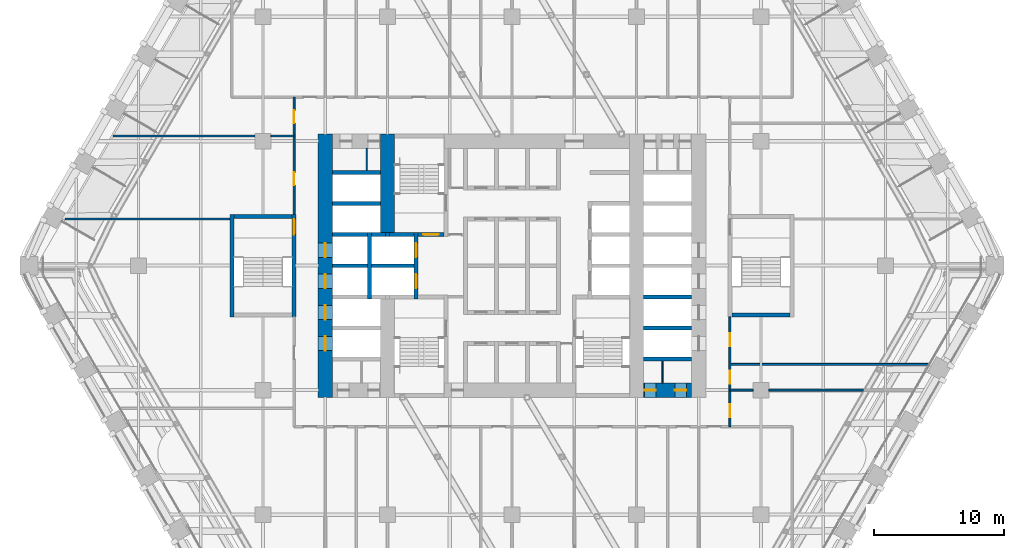
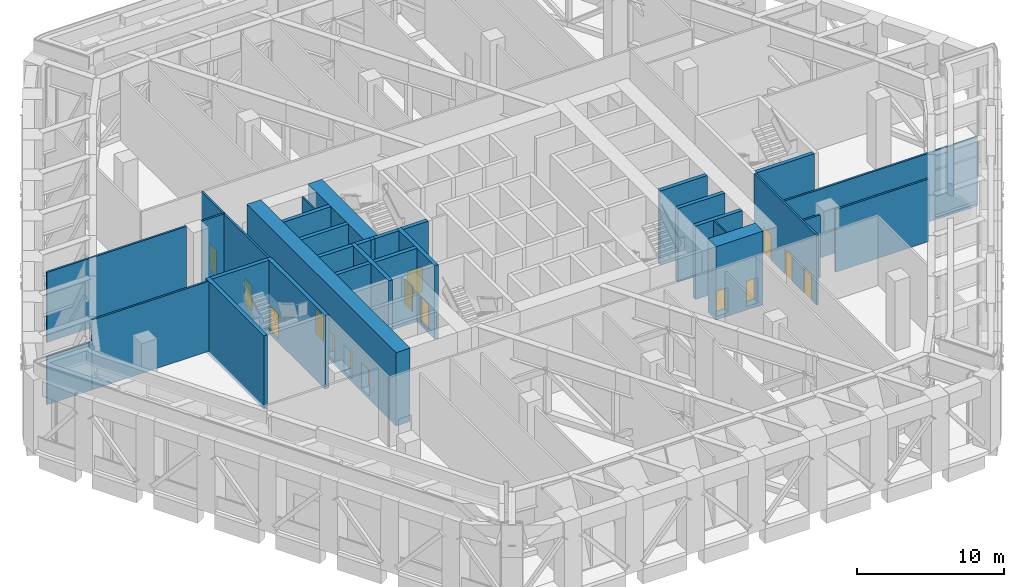
# One storey, part 20 of 35: 32 walls, 15 doors, 15 openings.
"""IFC4 building model written with IfcOpenShell, lengths in metres."""

from ifc_helpers import new_model, si_unit, direction, frame, frame_2d, origin, place, context, subcontext, project, spatial, rectangle, extrude, material, layer, layer_set, type_object, element, fill, save


model = new_model("IFC4")

# Units and contexts
model_context = context("Model", 3, precision=1e-05, world=origin(), true_north=direction((0.0, 1.0)))
body_context = subcontext(model_context, "Body", "Model", "MODEL_VIEW")
ifc_project = project(units=[si_unit("LENGTHUNIT", "METRE"), si_unit("AREAUNIT", "SQUARE_METRE"), si_unit("VOLUMEUNIT", "CUBIC_METRE"), si_unit("PLANEANGLEUNIT", "RADIAN"), si_unit("MASSUNIT", "GRAM", prefix="KILO")], contexts=[model_context])

# Site, building, storey
site_placement = place(None, origin())
site = spatial("IfcSite", under=ifc_project, at=site_placement, CompositionType="ELEMENT")
building_placement = place(site_placement, origin())
building = spatial("IfcBuilding", under=site, at=building_placement, Name="Kolab Exchange Tower", CompositionType="ELEMENT")
storey_placement = place(building_placement, frame((0.0, 0.0, 71.89990234375)))
storey = spatial("IfcBuildingStorey", under=building, at=storey_placement, Name="L13", CompositionType="ELEMENT", Elevation=71.89990234375)

# Wall, openings, doors
ifc_material_1 = material(Name="Concrete C80/95", Category="concrete")
ifc_layer_1 = layer(ifc_material_1, 1.10009765625)
ifc_layer_set_1 = layer_set([ifc_layer_1], Name="Concrete C80/95")
wall_type_1 = type_object("IfcWallType", Name="CORE WALL 1100 C80/95", PredefinedType="SHEAR", material=ifc_layer_set_1)
wall_1_placement = place(storey_placement, frame((10.14990234375, -9.60009765625, -0.2998046875), z_axis=(0.0, 0.0, 1.0), x_axis=(1.0, 0.0, 0.0)))
wall_1 = element("IfcWall", 1, at=wall_1_placement, inside=storey, type_object=wall_type_1, Name="wall/L13/core/004", PredefinedType="SHEAR", context=body_context, shape_type="SweptSolid", body=[
    extrude(rectangle(XDim=3.7001953125, YDim=1.10009765625, at=frame_2d((1.85009765625, 0.0))), origin(), (0.0, 0.0, 1.0), 6.099853515625),
])
opening_1_placement = place(wall_1_placement, frame((0.050048828125, 0.0, 0.300048828125)))
opening_1 = element("IfcOpeningElement", 2, at=opening_1_placement, cuts=wall_1, Name="Opening D6-184", PredefinedType="OPENING", context=body_context, shape_type="SweptSolid", body=[
    extrude(rectangle(XDim=0.89990234375, YDim=2.10009765625, at=frame_2d((0.449951171875, 1.050048828125))), frame((0.0, 0.56005859375, 0.0), z_axis=(0.0, -1.0, 0.0), x_axis=(1.0, 0.0, 0.0)), (0.0, 0.0, 1.0), 1.1201171875),
])
opening_2_placement = place(wall_1_placement, frame((2.39990234375, 0.0, 0.300048828125)))
opening_2 = element("IfcOpeningElement", 3, at=opening_2_placement, cuts=wall_1, Name="Opening D6-185", PredefinedType="OPENING", context=body_context, shape_type="SweptSolid", body=[
    extrude(rectangle(XDim=0.89990234375, YDim=2.10009765625, at=frame_2d((0.449951171875, 1.050048828125))), frame((0.0, 0.56005859375, 0.0), z_axis=(0.0, -1.0, 0.0), x_axis=(1.0, 0.0, 0.0)), (0.0, 0.0, 1.0), 1.1201171875),
])
ifc_material_2 = material(Name="Steel S235", Category="steel")
door_type_1 = type_object("IfcDoorType", Name="CORE DOOR 900 EI 120", OperationType="SINGLE_SWING_LEFT", PredefinedType="DOOR", material=ifc_material_2)
door_1_placement = place(opening_1_placement, origin())
door_1 = element("IfcDoor", 4, at=door_1_placement, inside=storey, type_object=door_type_1, Name="Service room door", OperationType="SINGLE_SWING_RIGHT", OverallHeight=2.10009765625, OverallWidth=0.89990234375, PredefinedType="DOOR", context=body_context, shape_type="SweptSolid", body=[
    extrude(rectangle(XDim=0.89990234375, YDim=2.10009765625, at=frame_2d((0.449951171875, 1.050048828125))), frame((0.0, 0.02490234375, 0.0), z_axis=(0.0, -1.0, 0.0), x_axis=(1.0, 0.0, 0.0)), (0.0, 0.0, 1.0), 0.050048828125),
])
fill(opening_1, door_1)
door_2_placement = place(opening_2_placement, origin())
door_2 = element("IfcDoor", 5, at=door_2_placement, inside=storey, type_object=door_type_1, Name="Service room door", OperationType="SINGLE_SWING_LEFT", OverallHeight=2.10009765625, OverallWidth=0.89990234375, PredefinedType="DOOR", context=body_context, shape_type="SweptSolid", body=[
    extrude(rectangle(XDim=0.89990234375, YDim=2.10009765625, at=frame_2d((0.449951171875, 1.050048828125))), frame((0.0, 0.02490234375, 0.0), z_axis=(0.0, -1.0, 0.0), x_axis=(1.0, 0.0, 0.0)), (0.0, 0.0, 1.0), 0.050048828125),
])
fill(opening_2, door_2)

wall_2_placement = place(storey_placement, frame((-14.39990234375, -10.14990234375, -0.2998046875), z_axis=(0.0, 0.0, 1.0), x_axis=(0.0, 1.0, 0.0)))
wall_2 = element("IfcWall", 6, at=wall_2_placement, inside=storey, type_object=wall_type_1, Name="wall/L13/core/057", PredefinedType="SHEAR", context=body_context, shape_type="SweptSolid", body=[
    extrude(rectangle(XDim=20.2998046875, YDim=1.10009765625, at=frame_2d((10.14990234375, 0.0))), origin(), (0.0, 0.0, 1.0), 6.099853515625),
])
opening_3_placement = place(wall_2_placement, frame((3.60009765625, 0.0, 0.300048828125)))
opening_3 = element("IfcOpeningElement", 7, at=opening_3_placement, cuts=wall_2, Name="Opening LD1-065", PredefinedType="OPENING", context=body_context, shape_type="SweptSolid", body=[
    extrude(rectangle(XDim=1.10009765625, YDim=2.10009765625, at=frame_2d((0.550048828125, 1.050048828125))), frame((0.0, 0.56005859375, 0.0), z_axis=(0.0, -1.0, 0.0), x_axis=(1.0, 0.0, 0.0)), (0.0, 0.0, 1.0), 1.1201171875),
])
opening_4_placement = place(wall_2_placement, frame((6.0, 0.0, 0.300048828125)))
opening_4 = element("IfcOpeningElement", 8, at=opening_4_placement, cuts=wall_2, Name="Opening LD1-066", PredefinedType="OPENING", context=body_context, shape_type="SweptSolid", body=[
    extrude(rectangle(XDim=1.10009765625, YDim=2.10009765625, at=frame_2d((0.550048828125, 1.050048828125))), frame((0.0, 0.56005859375, 0.0), z_axis=(0.0, -1.0, 0.0), x_axis=(1.0, 0.0, 0.0)), (0.0, 0.0, 1.0), 1.1201171875),
])
opening_5_placement = place(wall_2_placement, frame((8.39990234375, 0.0, 0.300048828125)))
opening_5 = element("IfcOpeningElement", 9, at=opening_5_placement, cuts=wall_2, Name="Opening LD1-067", PredefinedType="OPENING", context=body_context, shape_type="SweptSolid", body=[
    extrude(rectangle(XDim=1.10009765625, YDim=2.10009765625, at=frame_2d((0.550048828125, 1.050048828125))), frame((0.0, 0.56005859375, 0.0), z_axis=(0.0, -1.0, 0.0), x_axis=(1.0, 0.0, 0.0)), (0.0, 0.0, 1.0), 1.1201171875),
])
opening_6_placement = place(wall_2_placement, frame((10.800048828125, 0.0, 0.300048828125)))
opening_6 = element("IfcOpeningElement", 10, at=opening_6_placement, cuts=wall_2, Name="Opening LD1-068", PredefinedType="OPENING", context=body_context, shape_type="SweptSolid", body=[
    extrude(rectangle(XDim=1.10009765625, YDim=2.10009765625, at=frame_2d((0.550048828125, 1.050048828125))), frame((0.0, 0.56005859375, 0.0), z_axis=(0.0, -1.0, 0.0), x_axis=(1.0, 0.0, 0.0)), (0.0, 0.0, 1.0), 1.1201171875),
])
ifc_material_3 = material(Name="Stainless steel 316", Category="steel")
door_type_2 = type_object("IfcDoorType", Name="LANDING DOOR 1100 PASSENGER", OperationType="DOUBLE_DOOR_SLIDING", PredefinedType="DOOR", material=ifc_material_3)
door_3_placement = place(opening_3_placement, origin())
door_3 = element("IfcDoor", 11, at=door_3_placement, inside=storey, type_object=door_type_2, Name="Landing door LR5", OperationType="DOUBLE_DOOR_SLIDING", OverallHeight=2.10009765625, OverallWidth=1.10009765625, PredefinedType="DOOR", context=body_context, shape_type="SweptSolid", body=[
    extrude(rectangle(XDim=1.10009765625, YDim=2.10009765625, at=frame_2d((0.550048828125, 1.050048828125))), frame((0.0, 0.02490234375, 0.0), z_axis=(0.0, -1.0, 0.0), x_axis=(1.0, 0.0, 0.0)), (0.0, 0.0, 1.0), 0.050048828125),
])
fill(opening_3, door_3)
door_4_placement = place(opening_4_placement, origin())
door_4 = element("IfcDoor", 12, at=door_4_placement, inside=storey, type_object=door_type_2, Name="Landing door LR6", OperationType="DOUBLE_DOOR_SLIDING", OverallHeight=2.10009765625, OverallWidth=1.10009765625, PredefinedType="DOOR", context=body_context, shape_type="SweptSolid", body=[
    extrude(rectangle(XDim=1.10009765625, YDim=2.10009765625, at=frame_2d((0.550048828125, 1.050048828125))), frame((0.0, 0.02490234375, 0.0), z_axis=(0.0, -1.0, 0.0), x_axis=(1.0, 0.0, 0.0)), (0.0, 0.0, 1.0), 0.050048828125),
])
fill(opening_4, door_4)
door_5_placement = place(opening_5_placement, origin())
door_5 = element("IfcDoor", 13, at=door_5_placement, inside=storey, type_object=door_type_2, Name="Landing door LR7", OperationType="DOUBLE_DOOR_SLIDING", OverallHeight=2.10009765625, OverallWidth=1.10009765625, PredefinedType="DOOR", context=body_context, shape_type="SweptSolid", body=[
    extrude(rectangle(XDim=1.10009765625, YDim=2.10009765625, at=frame_2d((0.550048828125, 1.050048828125))), frame((0.0, 0.02490234375, 0.0), z_axis=(0.0, -1.0, 0.0), x_axis=(1.0, 0.0, 0.0)), (0.0, 0.0, 1.0), 0.050048828125),
])
fill(opening_5, door_5)
door_6_placement = place(opening_6_placement, origin())
door_6 = element("IfcDoor", 14, at=door_6_placement, inside=storey, type_object=door_type_2, Name="Landing door LR8", OperationType="DOUBLE_DOOR_SLIDING", OverallHeight=2.10009765625, OverallWidth=1.10009765625, PredefinedType="DOOR", context=body_context, shape_type="SweptSolid", body=[
    extrude(rectangle(XDim=1.10009765625, YDim=2.10009765625, at=frame_2d((0.550048828125, 1.050048828125))), frame((0.0, 0.02490234375, 0.0), z_axis=(0.0, -1.0, 0.0), x_axis=(1.0, 0.0, 0.0)), (0.0, 0.0, 1.0), 0.050048828125),
])
fill(opening_6, door_6)

# Walls
wall_3_placement = place(storey_placement, frame((-9.60009765625, 2.550048828125, -0.2998046875), z_axis=(0.0, 0.0, 1.0), x_axis=(0.0, 1.0, 0.0)))
element("IfcWall", 15, at=wall_3_placement, inside=storey, type_object=wall_type_1, Name="wall/L13/core/062", PredefinedType="SHEAR", context=body_context, shape_type="SweptSolid", body=[
    extrude(rectangle(XDim=7.599853515625, YDim=1.10009765625, at=frame_2d((3.7998046875, 0.0))), origin(), (0.0, 0.0, 1.0), 6.099853515625),
])
ifc_material_4 = material(Name="Concrete C50/60", Category="concrete")
ifc_layer_2 = layer(ifc_material_4, 0.300048828125)
ifc_layer_set_2 = layer_set([ifc_layer_2], Name="Concrete C50/60")
wall_type_2 = type_object("IfcWallType", Name="LIFT SHAFT WALL 300 C50/60", PredefinedType="STANDARD", material=ifc_layer_set_2)
for number, where, z_axis, x_axis, name in (
    (16, (10.14990234375, -7.199951171875, -0.2998046875), (0.0, 0.0, 1.0), (1.0, 0.0, 0.0), "wall/L13/core/006"),
    (17, (10.14990234375, -4.800048828125, -0.2998046875), (0.0, 0.0, 1.0), (1.0, 0.0, 0.0), "wall/L13/core/011"),
    (18, (10.14990234375, -2.39990234375, -0.2998046875), (0.0, 0.0, 1.0), (1.0, 0.0, 0.0), "wall/L13/core/023"),
):
    element("IfcWall", number, at=place(storey_placement, frame(where, z_axis=z_axis, x_axis=x_axis)), inside=storey, type_object=wall_type_2, Name=name, PredefinedType="STANDARD", context=body_context, shape_type="SweptSolid", body=[
        extrude(rectangle(XDim=3.7001953125, YDim=0.300048828125, at=frame_2d((1.85009765625, 0.0))), origin(), (0.0, 0.0, 1.0), 6.099853515625),
    ])
wall_4_placement = place(storey_placement, frame((-13.85009765625, 0.0, -0.2998046875), z_axis=(0.0, 0.0, 1.0), x_axis=(1.0, 0.0, 0.0)))
element("IfcWall", 19, at=wall_4_placement, inside=storey, type_object=wall_type_2, Name="wall/L13/core/024", PredefinedType="STANDARD", context=body_context, shape_type="SweptSolid", body=[
    extrude(rectangle(XDim=2.7001953125, YDim=0.300048828125, at=frame_2d((1.35009765625, 0.0))), origin(), (0.0, 0.0, 1.0), 6.099853515625),
])
wall_5_placement = place(storey_placement, frame((-10.85009765625, 0.0, -0.2998046875), z_axis=(0.0, 0.0, 1.0), x_axis=(1.0, 0.0, 0.0)))
element("IfcWall", 20, at=wall_5_placement, inside=storey, type_object=wall_type_2, Name="wall/L13/core/025", PredefinedType="STANDARD", context=body_context, shape_type="SweptSolid", body=[
    extrude(rectangle(XDim=3.300048828125, YDim=0.300048828125, at=frame_2d((1.64990234375, 0.0))), origin(), (0.0, 0.0, 1.0), 6.099853515625),
])
wall_6_placement = place(storey_placement, frame((-13.85009765625, 2.39990234375, -0.2998046875), z_axis=(0.0, 0.0, 1.0), x_axis=(1.0, 0.0, 0.0)))
element("IfcWall", 21, at=wall_6_placement, inside=storey, type_object=wall_type_2, Name="wall/L13/core/031", PredefinedType="STANDARD", context=body_context, shape_type="SweptSolid", body=[
    extrude(rectangle(XDim=2.7001953125, YDim=0.300048828125, at=frame_2d((1.35009765625, 0.0))), origin(), (0.0, 0.0, 1.0), 6.099853515625),
])
wall_7_placement = place(storey_placement, frame((-10.85009765625, 2.39990234375, -0.2998046875), z_axis=(0.0, 0.0, 1.0), x_axis=(1.0, 0.0, 0.0)))
element("IfcWall", 22, at=wall_7_placement, inside=storey, type_object=wall_type_2, Name="wall/L13/core/032", PredefinedType="STANDARD", context=body_context, shape_type="SweptSolid", body=[
    extrude(rectangle(XDim=1.10009765625, YDim=0.300048828125, at=frame_2d((0.550048828125, 0.0))), origin(), (0.0, 0.0, 1.0), 6.099853515625),
])
for number, where, z_axis, x_axis, name in (
    (23, (-13.85009765625, 4.800048828125, -0.2998046875), (0.0, 0.0, 1.0), (1.0, 0.0, 0.0), "wall/L13/core/042"),
    (24, (-13.85009765625, 7.199951171875, -0.2998046875), (0.0, 0.0, 1.0), (1.0, 0.0, 0.0), "wall/L13/core/048"),
):
    element("IfcWall", number, at=place(storey_placement, frame(where, z_axis=z_axis, x_axis=x_axis)), inside=storey, type_object=wall_type_2, Name=name, PredefinedType="STANDARD", context=body_context, shape_type="SweptSolid", body=[
        extrude(rectangle(XDim=3.7001953125, YDim=0.300048828125, at=frame_2d((1.85009765625, 0.0))), origin(), (0.0, 0.0, 1.0), 6.099853515625),
    ])
wall_8_placement = place(storey_placement, frame((-11.0, -2.550048828125, -0.2998046875), z_axis=(0.0, 0.0, 1.0), x_axis=(0.0, 1.0, 0.0)))
element("IfcWall", 25, at=wall_8_placement, inside=storey, type_object=wall_type_2, Name="wall/L13/core/058", PredefinedType="STANDARD", context=body_context, shape_type="SweptSolid", body=[
    extrude(rectangle(XDim=5.10009765625, YDim=0.300048828125, at=frame_2d((2.550048828125, 0.0))), origin(), (0.0, 0.0, 1.0), 6.099853515625),
])

# Wall, openings, doors
wall_9_placement = place(storey_placement, frame((-7.39990234375, -2.550048828125, -0.2998046875), z_axis=(0.0, 0.0, 1.0), x_axis=(0.0, 1.0, 0.0)))
wall_9 = element("IfcWall", 26, at=wall_9_placement, inside=storey, type_object=wall_type_2, Name="wall/L13/core/063", PredefinedType="STANDARD", context=body_context, shape_type="SweptSolid", body=[
    extrude(rectangle(XDim=5.10009765625, YDim=0.300048828125, at=frame_2d((2.550048828125, 0.0))), origin(), (0.0, 0.0, 1.0), 6.099853515625),
])
opening_7_placement = place(wall_9_placement, frame((0.800048828125, 0.0, 0.300048828125)))
opening_7 = element("IfcOpeningElement", 27, at=opening_7_placement, cuts=wall_9, Name="Opening LD2-015", PredefinedType="OPENING", context=body_context, shape_type="SweptSolid", body=[
    extrude(rectangle(XDim=1.10009765625, YDim=2.10009765625, at=frame_2d((0.550048828125, 1.050048828125))), frame((0.0, 0.16015625, 0.0), z_axis=(0.0, -1.0, 0.0), x_axis=(1.0, 0.0, 0.0)), (0.0, 0.0, 1.0), 0.320068359375),
])
opening_8_placement = place(wall_9_placement, frame((3.199951171875, 0.0, 0.300048828125)))
opening_8 = element("IfcOpeningElement", 28, at=opening_8_placement, cuts=wall_9, Name="Opening LD2-016", PredefinedType="OPENING", context=body_context, shape_type="SweptSolid", body=[
    extrude(rectangle(XDim=1.10009765625, YDim=2.10009765625, at=frame_2d((0.550048828125, 1.050048828125))), frame((0.0, 0.16015625, 0.0), z_axis=(0.0, -1.0, 0.0), x_axis=(1.0, 0.0, 0.0)), (0.0, 0.0, 1.0), 0.320068359375),
])
door_type_3 = type_object("IfcDoorType", Name="LANDING DOOR 1100 FIREFIGHTING", OperationType="DOUBLE_DOOR_SLIDING", PredefinedType="DOOR", material=ifc_material_3)
door_7_placement = place(opening_7_placement, origin())
door_7 = element("IfcDoor", 29, at=door_7_placement, inside=storey, type_object=door_type_3, Name="Landing door FF1", OperationType="DOUBLE_DOOR_SLIDING", OverallHeight=2.10009765625, OverallWidth=1.10009765625, PredefinedType="DOOR", context=body_context, shape_type="SweptSolid", body=[
    extrude(rectangle(XDim=1.10009765625, YDim=2.10009765625, at=frame_2d((0.550048828125, 1.050048828125))), frame((0.0, 0.02490234375, 0.0), z_axis=(0.0, -1.0, 0.0), x_axis=(1.0, 0.0, 0.0)), (0.0, 0.0, 1.0), 0.050048828125),
])
fill(opening_7, door_7)
door_8_placement = place(opening_8_placement, origin())
door_8 = element("IfcDoor", 30, at=door_8_placement, inside=storey, type_object=door_type_3, Name="Landing door FF2", OperationType="DOUBLE_DOOR_SLIDING", OverallHeight=2.10009765625, OverallWidth=1.10009765625, PredefinedType="DOOR", context=body_context, shape_type="SweptSolid", body=[
    extrude(rectangle(XDim=1.10009765625, YDim=2.10009765625, at=frame_2d((0.550048828125, 1.050048828125))), frame((0.0, 0.02490234375, 0.0), z_axis=(0.0, -1.0, 0.0), x_axis=(1.0, 0.0, 0.0)), (0.0, 0.0, 1.0), 0.050048828125),
])
fill(opening_8, door_8)

# Walls
ifc_material_5 = material(Name="Gypsum board", Category="gypsum")
ifc_layer_3 = layer(ifc_material_5, 0.10009765625)
ifc_layer_set_3 = layer_set([ifc_layer_3], Name="Gypsum board")
wall_type_3 = type_object("IfcWallType", Name="PARTITION 100", PredefinedType="PARTITIONING", material=ifc_layer_set_3)
for number, where, z_axis, x_axis, name in (
    (31, (11.60009765625, -9.050048828125, 0.0), (0.0, 0.0, 1.0), (0.0, 1.0, 0.0), "Partition 009"),
    (32, (-11.199951171875, 7.35009765625, 0.0), (0.0, 0.0, 1.0), (0.0, 1.0, 0.0), "Partition 029"),
):
    element("IfcWall", number, at=place(storey_placement, frame(where, z_axis=z_axis, x_axis=x_axis)), inside=storey, type_object=wall_type_3, Name=name, PredefinedType="PARTITIONING", context=body_context, shape_type="SweptSolid", body=[
        extrude(rectangle(XDim=1.699951171875, YDim=0.10009765625, at=frame_2d((0.85009765625, 0.0))), origin(), (0.0, 0.0, 1.0), 5.800048828125),
    ])

# Wall, openings, doors
ifc_layer_4 = layer(ifc_material_5, 0.14990234375)
ifc_layer_set_4 = layer_set([ifc_layer_4], Name="Gypsum board")
wall_type_4 = type_object("IfcWallType", Name="PARTITION 150 FIRE-RATED", PredefinedType="PARTITIONING", material=ifc_layer_set_4)
wall_10_placement = place(storey_placement, frame((16.800048828125, -12.39990234375, 0.0), z_axis=(0.0, 0.0, 1.0), x_axis=(0.0, 1.0, 0.0)))
wall_10 = element("IfcWall", 33, at=wall_10_placement, inside=storey, type_object=wall_type_4, Name="Partition 002", PredefinedType="PARTITIONING", context=body_context, shape_type="SweptSolid", body=[
    extrude(rectangle(XDim=8.449951171875, YDim=0.14990234375, at=frame_2d((4.22509765625, 0.0))), origin(), (0.0, 0.0, 1.0), 5.800048828125),
])
opening_9_placement = place(wall_10_placement, frame((0.699951171875, 0.0, 0.0)))
opening_9 = element("IfcOpeningElement", 34, at=opening_9_placement, cuts=wall_10, Name="Opening D1-192", PredefinedType="OPENING", context=body_context, shape_type="SweptSolid", body=[
    extrude(rectangle(XDim=1.0, YDim=2.10009765625, at=frame_2d((0.5, 1.050048828125))), frame((0.0, 0.0849609375, 0.0), z_axis=(0.0, -1.0, 0.0), x_axis=(1.0, 0.0, 0.0)), (0.0, 0.0, 1.0), 0.169921875),
])
opening_10_placement = place(wall_10_placement, frame((3.300048828125, 0.0, 0.0)))
opening_10 = element("IfcOpeningElement", 35, at=opening_10_placement, cuts=wall_10, Name="Opening D1-193", PredefinedType="OPENING", context=body_context, shape_type="SweptSolid", body=[
    extrude(rectangle(XDim=1.0, YDim=2.10009765625, at=frame_2d((0.5, 1.050048828125))), frame((0.0, 0.0849609375, 0.0), z_axis=(0.0, -1.0, 0.0), x_axis=(1.0, 0.0, 0.0)), (0.0, 0.0, 1.0), 0.169921875),
])
opening_11_placement = place(wall_10_placement, frame((6.199951171875, 0.0, 0.0)))
opening_11 = element("IfcOpeningElement", 36, at=opening_11_placement, cuts=wall_10, Name="Opening D1-194", PredefinedType="OPENING", context=body_context, shape_type="SweptSolid", body=[
    extrude(rectangle(XDim=1.0, YDim=2.10009765625, at=frame_2d((0.5, 1.050048828125))), frame((0.0, 0.0849609375, 0.0), z_axis=(0.0, -1.0, 0.0), x_axis=(1.0, 0.0, 0.0)), (0.0, 0.0, 1.0), 0.169921875),
])
door_type_4 = type_object("IfcDoorType", Name="FLUSH DOOR 1000 FD60", OperationType="SINGLE_SWING_LEFT", PredefinedType="DOOR", material=ifc_material_2)
door_9_placement = place(opening_9_placement, frame((1.0, 0.0, 0.0), z_axis=(0.0, 0.0, 1.0), x_axis=(-1.0, 0.0, 0.0)))
door_9 = element("IfcDoor", 37, at=door_9_placement, inside=storey, type_object=door_type_4, Name="Door L13-071", OperationType="SINGLE_SWING_LEFT", OverallHeight=2.10009765625, OverallWidth=1.0, PredefinedType="DOOR", context=body_context, shape_type="SweptSolid", body=[
    extrude(rectangle(XDim=1.0, YDim=2.10009765625, at=frame_2d((0.5, 1.050048828125))), frame((0.0, 0.02490234375, 0.0), z_axis=(0.0, -1.0, 0.0), x_axis=(1.0, 0.0, 0.0)), (0.0, 0.0, 1.0), 0.050048828125),
])
fill(opening_9, door_9)
door_10_placement = place(opening_10_placement, frame((1.0, 0.0, 0.0), z_axis=(0.0, 0.0, 1.0), x_axis=(-1.0, 0.0, 0.0)))
door_10 = element("IfcDoor", 38, at=door_10_placement, inside=storey, type_object=door_type_4, Name="Door L13-072", OperationType="SINGLE_SWING_LEFT", OverallHeight=2.10009765625, OverallWidth=1.0, PredefinedType="DOOR", context=body_context, shape_type="SweptSolid", body=[
    extrude(rectangle(XDim=1.0, YDim=2.10009765625, at=frame_2d((0.5, 1.050048828125))), frame((0.0, 0.02490234375, 0.0), z_axis=(0.0, -1.0, 0.0), x_axis=(1.0, 0.0, 0.0)), (0.0, 0.0, 1.0), 0.050048828125),
])
fill(opening_10, door_10)
door_11_placement = place(opening_11_placement, frame((1.0, 0.0, 0.0), z_axis=(0.0, 0.0, 1.0), x_axis=(-1.0, 0.0, 0.0)))
door_11 = element("IfcDoor", 39, at=door_11_placement, inside=storey, type_object=door_type_4, Name="Door L13-073", OperationType="SINGLE_SWING_LEFT", OverallHeight=2.10009765625, OverallWidth=1.0, PredefinedType="DOOR", context=body_context, shape_type="SweptSolid", body=[
    extrude(rectangle(XDim=1.0, YDim=2.10009765625, at=frame_2d((0.5, 1.050048828125))), frame((0.0, 0.02490234375, 0.0), z_axis=(0.0, -1.0, 0.0), x_axis=(1.0, 0.0, 0.0)), (0.0, 0.0, 1.0), 0.050048828125),
])
fill(opening_11, door_11)

wall_11_placement = place(storey_placement, frame((-16.800048828125, 3.949951171875, 0.0), z_axis=(0.0, 0.0, 1.0), x_axis=(0.0, 1.0, 0.0)))
wall_11 = element("IfcWall", 40, at=wall_11_placement, inside=storey, type_object=wall_type_4, Name="Partition 036", PredefinedType="PARTITIONING", context=body_context, shape_type="SweptSolid", body=[
    extrude(rectangle(XDim=9.050048828125, YDim=0.14990234375, at=frame_2d((4.52490234375, 0.0))), origin(), (0.0, 0.0, 1.0), 5.800048828125),
])
opening_12_placement = place(wall_11_placement, frame((2.25, 0.0, 0.0)))
opening_12 = element("IfcOpeningElement", 41, at=opening_12_placement, cuts=wall_11, Name="Opening D1-198", PredefinedType="OPENING", context=body_context, shape_type="SweptSolid", body=[
    extrude(rectangle(XDim=1.0, YDim=2.10009765625, at=frame_2d((0.5, 1.050048828125))), frame((0.0, 0.0849609375, 0.0), z_axis=(0.0, -1.0, 0.0), x_axis=(1.0, 0.0, 0.0)), (0.0, 0.0, 1.0), 0.169921875),
])
opening_13_placement = place(wall_11_placement, frame((7.050048828125, 0.0, 0.0)))
opening_13 = element("IfcOpeningElement", 42, at=opening_13_placement, cuts=wall_11, Name="Opening D1-199", PredefinedType="OPENING", context=body_context, shape_type="SweptSolid", body=[
    extrude(rectangle(XDim=1.0, YDim=2.10009765625, at=frame_2d((0.5, 1.050048828125))), frame((0.0, 0.0849609375, 0.0), z_axis=(0.0, -1.0, 0.0), x_axis=(1.0, 0.0, 0.0)), (0.0, 0.0, 1.0), 0.169921875),
])
door_12_placement = place(opening_12_placement, origin())
door_12 = element("IfcDoor", 43, at=door_12_placement, inside=storey, type_object=door_type_4, Name="Door L13-077", OperationType="SINGLE_SWING_LEFT", OverallHeight=2.10009765625, OverallWidth=1.0, PredefinedType="DOOR", context=body_context, shape_type="SweptSolid", body=[
    extrude(rectangle(XDim=1.0, YDim=2.10009765625, at=frame_2d((0.5, 1.050048828125))), frame((0.0, 0.02490234375, 0.0), z_axis=(0.0, -1.0, 0.0), x_axis=(1.0, 0.0, 0.0)), (0.0, 0.0, 1.0), 0.050048828125),
])
fill(opening_12, door_12)
door_13_placement = place(opening_13_placement, origin())
door_13 = element("IfcDoor", 44, at=door_13_placement, inside=storey, type_object=door_type_4, Name="Door L13-078", OperationType="SINGLE_SWING_LEFT", OverallHeight=2.10009765625, OverallWidth=1.0, PredefinedType="DOOR", context=body_context, shape_type="SweptSolid", body=[
    extrude(rectangle(XDim=1.0, YDim=2.10009765625, at=frame_2d((0.5, 1.050048828125))), frame((0.0, 0.02490234375, 0.0), z_axis=(0.0, -1.0, 0.0), x_axis=(1.0, 0.0, 0.0)), (0.0, 0.0, 1.0), 0.050048828125),
])
fill(opening_13, door_13)

# Walls
wall_12_placement = place(storey_placement, frame((16.800048828125, -9.60009765625, 0.0), z_axis=(0.0, 0.0, 1.0), x_axis=(1.0, 0.0, 0.0)))
element("IfcWall", 45, at=wall_12_placement, inside=storey, type_object=wall_type_4, Name="Partition 040", PredefinedType="PARTITIONING", context=body_context, shape_type="SweptSolid", body=[
    extrude(rectangle(XDim=1.800048828125, YDim=0.14990234375, at=frame_2d((0.89990234375, 0.0))), origin(), (0.0, 0.0, 1.0), 5.192138671875),
])
wall_13_placement = place(storey_placement, frame((19.800048828125, -9.60009765625, 0.0), z_axis=(0.0, 0.0, 1.0), x_axis=(1.0, 0.0, 0.0)))
element("IfcWall", 46, at=wall_13_placement, inside=storey, type_object=wall_type_4, Name="Partition 041", PredefinedType="PARTITIONING", context=body_context, shape_type="SweptSolid", body=[
    extrude(rectangle(XDim=7.31591796875, YDim=0.14990234375, at=frame_2d((3.657958984375, 0.0))), origin(), (0.0, 0.0, 1.0), 5.192138671875),
])
wall_14_placement = place(storey_placement, frame((16.800048828125, -7.60009765625, 0.0), z_axis=(0.0, 0.0, 1.0), x_axis=(1.0, 0.0, 0.0)))
element("IfcWall", 47, at=wall_14_placement, inside=storey, type_object=wall_type_4, Name="Partition 042", PredefinedType="PARTITIONING", context=body_context, shape_type="SweptSolid", body=[
    extrude(rectangle(XDim=15.341552734375, YDim=0.14990234375, at=frame_2d((7.6708984375, 0.0))), origin(), (0.0, 0.0, 1.0), 5.7001953125),
])
wall_15_placement = place(storey_placement, frame((-30.927734375, 3.60009765625, 0.0), z_axis=(0.0, 0.0, 1.0), x_axis=(1.0, 0.0, 0.0)))
element("IfcWall", 48, at=wall_15_placement, inside=storey, type_object=wall_type_4, Name="Partition 044", PredefinedType="PARTITIONING", context=body_context, shape_type="SweptSolid", body=[
    extrude(rectangle(XDim=9.177734375, YDim=0.14990234375, at=frame_2d((4.5888671875, 0.0))), origin(), (0.0, 0.0, 1.0), 5.800048828125),
])
wall_16_placement = place(storey_placement, frame((-34.450927734375, 3.60009765625, 0.0), z_axis=(0.0, 0.0, 1.0), x_axis=(1.0, 0.0, 0.0)))
element("IfcWall", 49, at=wall_16_placement, inside=storey, type_object=wall_type_4, Name="Partition 044", PredefinedType="PARTITIONING", context=body_context, shape_type="SweptSolid", body=[
    extrude(rectangle(XDim=3.523193359375, YDim=0.14990234375, at=frame_2d((1.76171875, 0.0))), origin(), (0.0, 0.0, 1.0), 4.0),
])
wall_17_placement = place(storey_placement, frame((-30.755859375, 10.0, 0.0), z_axis=(0.0, 0.0, 1.0), x_axis=(1.0, 0.0, 0.0)))
element("IfcWall", 50, at=wall_17_placement, inside=storey, type_object=wall_type_4, Name="Partition 047", PredefinedType="PARTITIONING", context=body_context, shape_type="SweptSolid", body=[
    extrude(rectangle(XDim=10.955810546875, YDim=0.14990234375, at=frame_2d((5.47802734375, 0.0))), origin(), (0.0, 0.0, 1.0), 5.800048828125),
])
wall_18_placement = place(storey_placement, frame((-18.60009765625, 10.0, 0.0), z_axis=(0.0, 0.0, 1.0), x_axis=(1.0, 0.0, 0.0)))
element("IfcWall", 51, at=wall_18_placement, inside=storey, type_object=wall_type_4, Name="Partition 048", PredefinedType="PARTITIONING", context=body_context, shape_type="SweptSolid", body=[
    extrude(rectangle(XDim=1.800048828125, YDim=0.14990234375, at=frame_2d((0.89990234375, 0.0))), origin(), (0.0, 0.0, 1.0), 5.800048828125),
])
ifc_layer_5 = layer(ifc_material_4, 0.300048828125)
ifc_layer_set_5 = layer_set([ifc_layer_5], Name="Concrete C50/60")
wall_type_5 = type_object("IfcWallType", Name="STAIR ENCLOSURE WALL 300 C50/60", PredefinedType="STANDARD", material=ifc_layer_set_5)
wall_19_placement = place(storey_placement, frame((16.949951171875, -3.800048828125, -0.2998046875), z_axis=(0.0, 0.0, 1.0), x_axis=(1.0, 0.0, 0.0)))
element("IfcWall", 52, at=wall_19_placement, inside=storey, type_object=wall_type_5, Name="wall/L13/core/013", PredefinedType="STANDARD", context=body_context, shape_type="SweptSolid", body=[
    extrude(rectangle(XDim=4.5, YDim=0.300048828125, at=frame_2d((2.25, 0.0))), origin(), (0.0, 0.0, 1.0), 6.099853515625),
])
wall_20_placement = place(storey_placement, frame((-9.449951171875, 2.39990234375, -0.2998046875), z_axis=(0.0, 0.0, 1.0), x_axis=(1.0, 0.0, 0.0)))
element("IfcWall", 53, at=wall_20_placement, inside=storey, type_object=wall_type_5, Name="wall/L13/core/033", PredefinedType="STANDARD", context=body_context, shape_type="SweptSolid", body=[
    extrude(rectangle(XDim=1.89990234375, YDim=0.300048828125, at=frame_2d((0.949951171875, 0.0))), origin(), (0.0, 0.0, 1.0), 6.099853515625),
])

# Wall, opening, door
wall_21_placement = place(storey_placement, frame((-7.25, 2.39990234375, -0.2998046875), z_axis=(0.0, 0.0, 1.0), x_axis=(1.0, 0.0, 0.0)))
wall_21 = element("IfcWall", 54, at=wall_21_placement, inside=storey, type_object=wall_type_5, Name="wall/L13/core/034", PredefinedType="STANDARD", context=body_context, shape_type="SweptSolid", body=[
    extrude(rectangle(XDim=2.0, YDim=0.300048828125, at=frame_2d((1.0, 0.0))), origin(), (0.0, 0.0, 1.0), 6.099853515625),
])
opening_14_placement = place(wall_21_placement, frame((0.39990234375, 0.0, 0.300048828125)))
opening_14 = element("IfcOpeningElement", 55, at=opening_14_placement, cuts=wall_21, Name="Opening D4-037", PredefinedType="OPENING", context=body_context, shape_type="SweptSolid", body=[
    extrude(rectangle(XDim=1.199951171875, YDim=2.10009765625, at=frame_2d((0.60009765625, 1.050048828125))), frame((0.0, 0.16015625, 0.0), z_axis=(0.0, -1.0, 0.0), x_axis=(1.0, 0.0, 0.0)), (0.0, 0.0, 1.0), 0.320068359375),
])
door_type_5 = type_object("IfcDoorType", Name="STAIR DOOR 1200 EI 120", OperationType="SINGLE_SWING_LEFT", PredefinedType="DOOR", material=ifc_material_2)
door_14_placement = place(opening_14_placement, origin())
door_14 = element("IfcDoor", 56, at=door_14_placement, inside=storey, type_object=door_type_5, Name="Stair 1 door", OperationType="SINGLE_SWING_RIGHT", OverallHeight=2.10009765625, OverallWidth=1.199951171875, PredefinedType="DOOR", context=body_context, shape_type="SweptSolid", body=[
    extrude(rectangle(XDim=1.199951171875, YDim=2.10009765625, at=frame_2d((0.60009765625, 1.050048828125))), frame((0.0, 0.02490234375, 0.0), z_axis=(0.0, -1.0, 0.0), x_axis=(1.0, 0.0, 0.0)), (0.0, 0.0, 1.0), 0.050048828125),
])
fill(opening_14, door_14)

# Walls
wall_22_placement = place(storey_placement, frame((-21.449951171875, 3.800048828125, -0.2998046875), z_axis=(0.0, 0.0, 1.0), x_axis=(1.0, 0.0, 0.0)))
element("IfcWall", 57, at=wall_22_placement, inside=storey, type_object=wall_type_5, Name="wall/L13/core/040", PredefinedType="STANDARD", context=body_context, shape_type="SweptSolid", body=[
    extrude(rectangle(XDim=4.5, YDim=0.300048828125, at=frame_2d((2.25, 0.0))), origin(), (0.0, 0.0, 1.0), 6.099853515625),
])
wall_23_placement = place(storey_placement, frame((-21.60009765625, -3.949951171875, -0.2998046875), z_axis=(0.0, 0.0, 1.0), x_axis=(0.0, 1.0, 0.0)))
element("IfcWall", 58, at=wall_23_placement, inside=storey, type_object=wall_type_5, Name="wall/L13/core/055", PredefinedType="STANDARD", context=body_context, shape_type="SweptSolid", body=[
    extrude(rectangle(XDim=7.89990234375, YDim=0.300048828125, at=frame_2d((3.949951171875, 0.0))), origin(), (0.0, 0.0, 1.0), 6.099853515625),
])

# Wall, opening, door
wall_24_placement = place(storey_placement, frame((-16.800048828125, -3.949951171875, -0.2998046875), z_axis=(0.0, 0.0, 1.0), x_axis=(0.0, 1.0, 0.0)))
wall_24 = element("IfcWall", 59, at=wall_24_placement, inside=storey, type_object=wall_type_5, Name="wall/L13/core/056", PredefinedType="STANDARD", context=body_context, shape_type="SweptSolid", body=[
    extrude(rectangle(XDim=7.89990234375, YDim=0.300048828125, at=frame_2d((3.949951171875, 0.0))), origin(), (0.0, 0.0, 1.0), 6.099853515625),
])
opening_15_placement = place(wall_24_placement, frame((6.35009765625, 0.0, 0.300048828125)))
opening_15 = element("IfcOpeningElement", 60, at=opening_15_placement, cuts=wall_24, Name="Opening D4-042", PredefinedType="OPENING", context=body_context, shape_type="SweptSolid", body=[
    extrude(rectangle(XDim=1.199951171875, YDim=2.10009765625, at=frame_2d((0.60009765625, 1.050048828125))), frame((0.0, 0.16015625, 0.0), z_axis=(0.0, -1.0, 0.0), x_axis=(1.0, 0.0, 0.0)), (0.0, 0.0, 1.0), 0.320068359375),
])
door_15_placement = place(opening_15_placement, origin())
door_15 = element("IfcDoor", 61, at=door_15_placement, inside=storey, type_object=door_type_5, Name="Stair 5 door", OperationType="SINGLE_SWING_RIGHT", OverallHeight=2.10009765625, OverallWidth=1.199951171875, PredefinedType="DOOR", context=body_context, shape_type="SweptSolid", body=[
    extrude(rectangle(XDim=1.199951171875, YDim=2.10009765625, at=frame_2d((0.60009765625, 1.050048828125))), frame((0.0, 0.02490234375, 0.0), z_axis=(0.0, -1.0, 0.0), x_axis=(1.0, 0.0, 0.0)), (0.0, 0.0, 1.0), 0.050048828125),
])
fill(opening_15, door_15)

# Wall
wall_25_placement = place(storey_placement, frame((-9.60009765625, 2.25, -0.2998046875), z_axis=(0.0, 0.0, 1.0), x_axis=(0.0, 1.0, 0.0)))
element("IfcWall", 62, at=wall_25_placement, inside=storey, type_object=wall_type_5, Name="wall/L13/core/061", PredefinedType="STANDARD", context=body_context, shape_type="SweptSolid", body=[
    extrude(rectangle(XDim=0.300048828125, YDim=0.300048828125, at=frame_2d((0.14990234375, 0.0))), origin(), (0.0, 0.0, 1.0), 6.099853515625),
])

save(model, "model.ifc")
